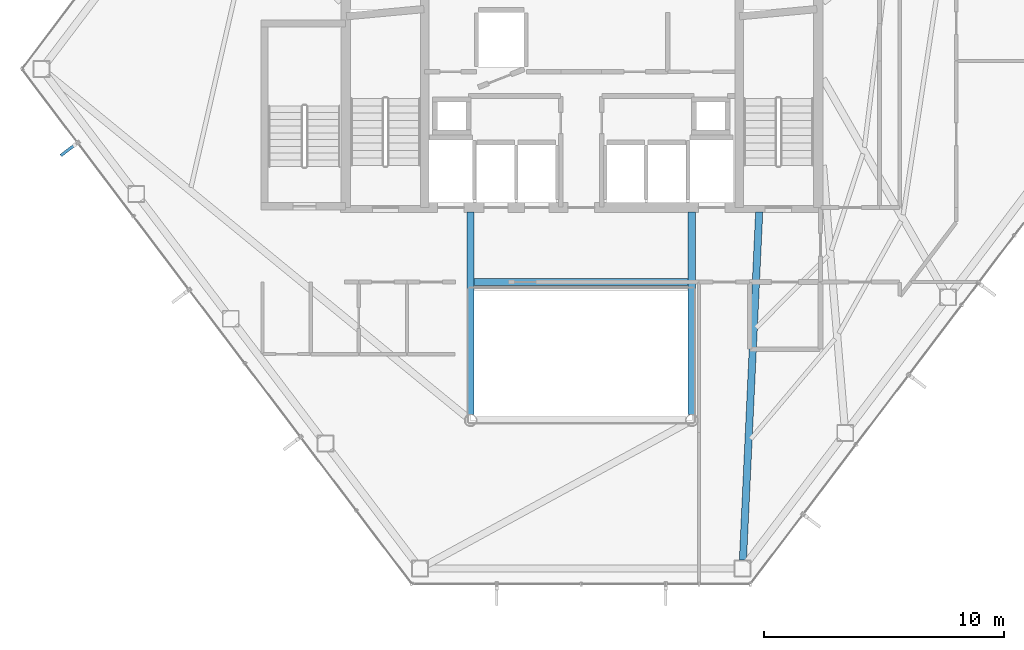
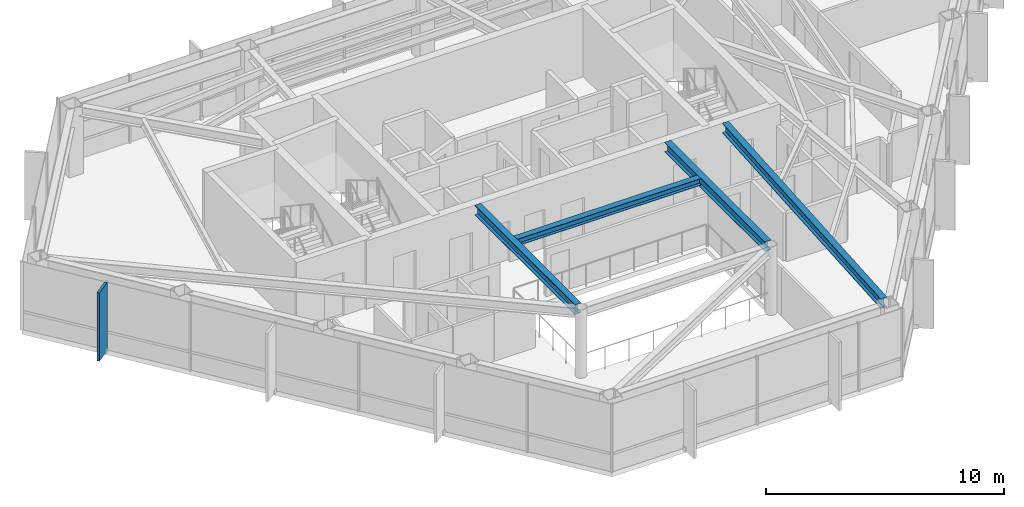
# One storey, part 8 of 28: 4 beams, 1 member, 1 element without a shape of its own.
"""IFC4 building model written with IfcOpenShell, lengths in metres."""

from ifc_helpers import new_model, si_unit, direction, frame, origin, origin_2d, place, context, subcontext, project, spatial, rectangle, i_section, extrude, material, layer, layer_set, material_profile, profile_set, type_object, element, aggregate, save


model = new_model("IFC4")

# Units and contexts
model_context = context("Model", 3, precision=1e-05, world=origin(), true_north=direction((0.0, 1.0)))
body_context = subcontext(model_context, "Body", "Model", "MODEL_VIEW")
ifc_project = project(units=[si_unit("LENGTHUNIT", "METRE"), si_unit("AREAUNIT", "SQUARE_METRE"), si_unit("VOLUMEUNIT", "CUBIC_METRE"), si_unit("PLANEANGLEUNIT", "RADIAN"), si_unit("MASSUNIT", "GRAM", prefix="KILO")], contexts=[model_context])

# Site, building, storey
site_placement = place(None, origin())
site = spatial("IfcSite", under=ifc_project, at=site_placement, CompositionType="ELEMENT")
building_placement = place(site_placement, origin())
building = spatial("IfcBuilding", under=site, at=building_placement, Name="Zarrinselat Tower", CompositionType="ELEMENT")
storey_placement = place(building_placement, frame((0.0, 0.0, 187.0)))
storey = spatial("IfcBuildingStorey", under=building, at=storey_placement, Name="L46", CompositionType="ELEMENT", Elevation=187.0)

# Beams
ifc_material_1 = material(Name="Steel S355J2", Category="steel")
ifc_material_profile_1 = material_profile(ifc_material_1, i_section(OverallWidth=0.300048828125, OverallDepth=0.35009765625, WebThickness=0.010009765625, FlangeThickness=0.017578125, at=origin_2d()), Name="HEA 360")
ifc_profile_set_1 = profile_set([ifc_material_profile_1], Name="Steel S355J2")
beam_type_1 = type_object("IfcBeamType", Name="BM-HEA360", PredefinedType="LINTEL", material=ifc_profile_set_1)
beam_1_placement = place(storey_placement, frame((33.93994140625, 30.14990234375, 3.324951171875), z_axis=(1.0, 0.0, 0.0), x_axis=(0.0, 1.0, 0.0)))
element("IfcBeam", 1, at=beam_1_placement, inside=storey, type_object=beam_type_1, Name="L46 Lift Lobby Ceiling Beam", PredefinedType="LINTEL", context=body_context, shape_type="SweptSolid", body=[
    extrude(i_section(OverallWidth=0.300048828125, OverallDepth=0.35009765625, WebThickness=0.010009765625, FlangeThickness=0.017578125, at=origin_2d()), origin(), (0.0, 0.0, 1.0), 8.920166015625),
])
ifc_material_2 = material(Name="Steel S355J2", Category="steel")
ifc_material_profile_2 = material_profile(ifc_material_2, i_section(OverallWidth=0.300048828125, OverallDepth=0.5, WebThickness=0.014404296875, FlangeThickness=0.028076171875, at=origin_2d()), Name="HEB 500")
ifc_profile_set_2 = profile_set([ifc_material_profile_2], Name="Steel S355J2")
beam_type_2 = type_object("IfcBeamType", Name="BM-HEB500", PredefinedType="BEAM", material=ifc_profile_set_2)
for number, where, z_axis, x_axis, name in (
    (2, (33.800048828125, 24.639892578125, 3.25), (0.0, 1.0, 0.0), (-1.0, 0.0, 0.0), "L46 Atrium Edge Beam W"),
    (3, (43.0, 24.639892578125, 3.25), (0.0, 1.0, 0.0), (-1.0, 0.0, 0.0), "L46 Atrium Edge Beam E"),
):
    element("IfcBeam", number, at=place(storey_placement, frame(where, z_axis=z_axis, x_axis=x_axis)), inside=storey, type_object=beam_type_2, Name=name, PredefinedType="BEAM", context=body_context, shape_type="SweptSolid", body=[
        extrude(i_section(OverallWidth=0.300048828125, OverallDepth=0.5, WebThickness=0.014404296875, FlangeThickness=0.028076171875, at=origin_2d()), origin(), (0.0, 0.0, 1.0), 8.420166015625),
    ])
beam_2_placement = place(storey_placement, frame((45.1240234375, 18.5908203125, 3.25), z_axis=(0.046670649412, 0.998910331553, 0.0), x_axis=(-0.998910331553, 0.046670649412, 0.0)))
element("IfcBeam", 4, at=beam_2_placement, inside=storey, type_object=beam_type_2, Name="L46 Radial Primary Girder RG11", PredefinedType="BEAM", context=body_context, shape_type="SweptSolid", body=[
    extrude(i_section(OverallWidth=0.300048828125, OverallDepth=0.5, WebThickness=0.014404296875, FlangeThickness=0.028076171875, at=origin_2d()), origin(), (0.0, 0.0, 1.0), 14.485107421875),
])

# Curtain wall, member
ifc_material_3 = material(Name="Extruded Aluminium Alloy EN AW-6063 T6", Category="aluminium")
ifc_layer = layer(ifc_material_3, 0.175048828125)
ifc_layer_set = layer_set([ifc_layer], Name="Extruded Aluminium Alloy EN AW-6063 T6")
curtain_wall_type = type_object("IfcCurtainWallType", Name="CWS-HTL", PredefinedType="NOTDEFINED", material=ifc_layer_set)
curtain_wall_placement = place(storey_placement, origin())
curtain_wall = element("IfcCurtainWall", 5, at=curtain_wall_placement, inside=storey, type_object=curtain_wall_type, Name="L46 Unitised Curtain Wall CW-L46-E03", PredefinedType="NOTDEFINED")
ifc_material_4 = material(Name="Honed Cream Travertine Stone", Category="masonry")
ifc_material_profile_3 = material_profile(ifc_material_4, rectangle(XDim=0.1201171875, YDim=0.85009765625, at=origin_2d()), Name="FIN 850x120")
ifc_profile_set_3 = profile_set([ifc_material_profile_3], Name="Honed Cream Travertine Stone")
member_type = type_object("IfcMemberType", Name="MEM-STONE-FIN", PredefinedType="USERDEFINED", material=ifc_profile_set_3)
member_placement = place(storey_placement, frame((17.097900390625, 35.666015625, 0.0), z_axis=(0.0, 0.0, 1.0), x_axis=(-0.603857114659, 0.7970925825, 0.0)))
member = element("IfcMember", 6, at=member_placement, type_object=member_type, Name="L46 Stone Shading Fin CW-L46-E03-01", ObjectType="FIN", PredefinedType="USERDEFINED", context=body_context, shape_type="SweptSolid", body=[
    extrude(rectangle(XDim=0.1201171875, YDim=0.85009765625, at=origin_2d()), origin(), (0.0, 0.0, 1.0), 3.5),
])
aggregate(curtain_wall, [member])

save(model, "model.ifc")
